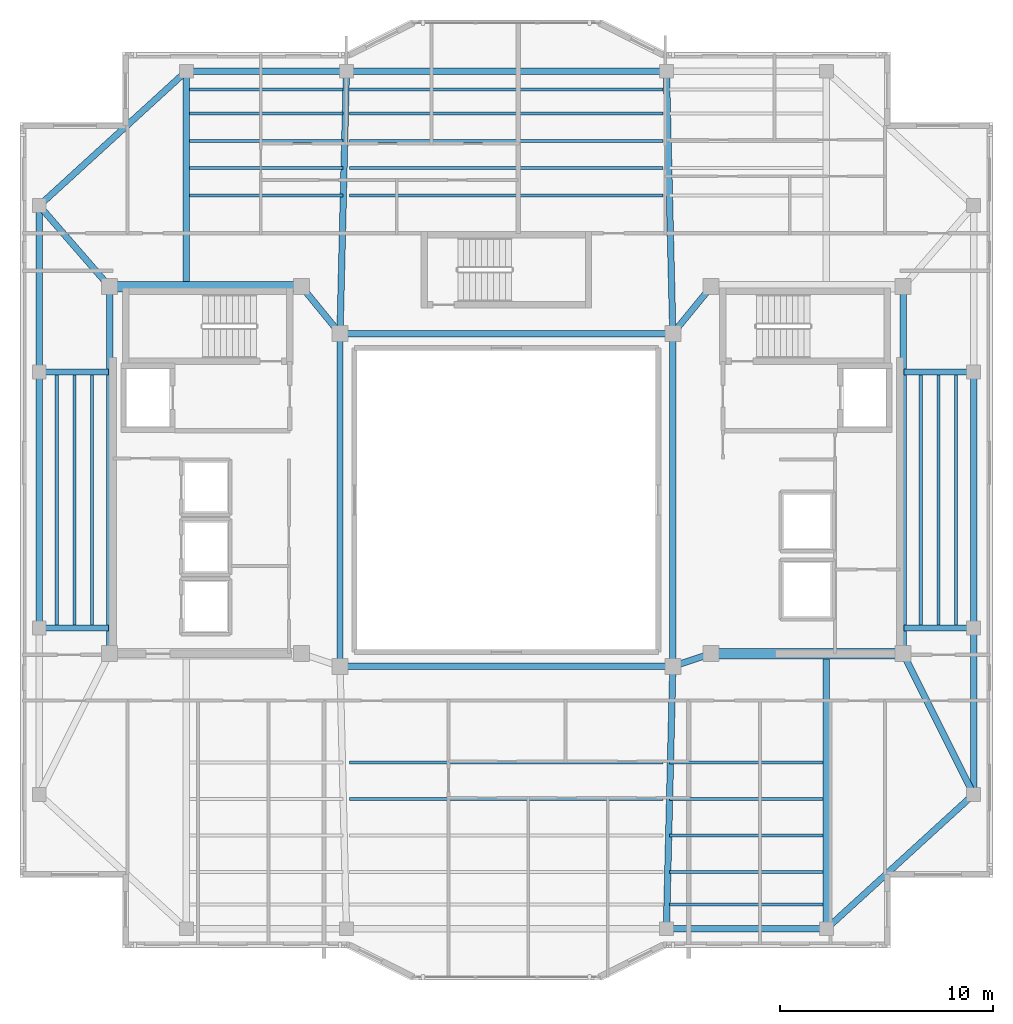
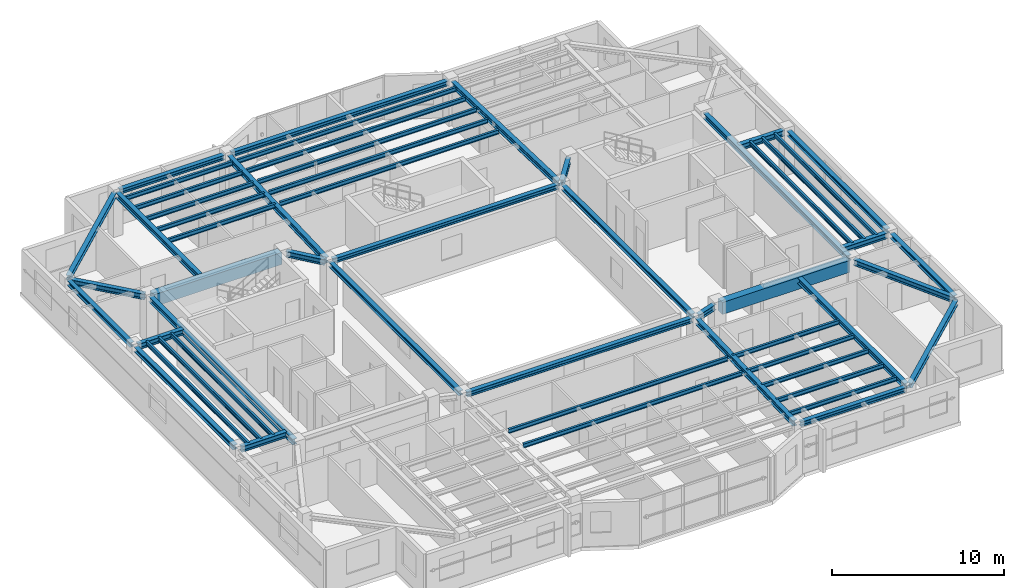
# One storey, part 3 of 13: 54 beams.
"""IFC4 building model written with IfcOpenShell, lengths in metres."""

from ifc_helpers import new_model, si_unit, direction, frame, origin, origin_2d, place, context, subcontext, project, spatial, rectangle, i_section, extrude, material, material_profile, profile_set, type_object, element, save


model = new_model("IFC4")

# Units and contexts
model_context = context("Model", 3, precision=1e-05, world=origin(), true_north=direction((0.0, 1.0)))
body_context = subcontext(model_context, "Body", "Model", "MODEL_VIEW")
ifc_project = project(units=[si_unit("LENGTHUNIT", "METRE"), si_unit("AREAUNIT", "SQUARE_METRE"), si_unit("VOLUMEUNIT", "CUBIC_METRE"), si_unit("PLANEANGLEUNIT", "RADIAN"), si_unit("MASSUNIT", "GRAM", prefix="KILO")], contexts=[model_context])

# Site, building, storey
site_placement = place(None, origin())
site = spatial("IfcSite", under=ifc_project, at=site_placement, CompositionType="ELEMENT")
building_placement = place(site_placement, origin())
building = spatial("IfcBuilding", under=site, at=building_placement, Name="Tarnavaz Court Tower", CompositionType="ELEMENT")
storey_placement = place(building_placement, frame((0.0, 0.0, 251.550048828125)))
storey = spatial("IfcBuildingStorey", under=building, at=storey_placement, Name="L68", CompositionType="ELEMENT", Elevation=251.550048828125)

# Beams
ifc_material_1 = material(Name="Concrete C50/60", Category="concrete")
ifc_material_profile_1 = material_profile(ifc_material_1, rectangle(XDim=0.5, YDim=0.85009765625, at=origin_2d()), Name="RC 500X850")
ifc_profile_set_1 = profile_set([ifc_material_profile_1], Name="Concrete C50/60")
beam_type_1 = type_object("IfcBeamType", Name="BM-CB850", PredefinedType="LINTEL", material=ifc_profile_set_1)
for number, where, z_axis, x_axis, name in (
    (1, (-18.3798828125, 10.0, 2.675048828125), (1.0, 0.0, 0.0), (0.0, 1.0, 0.0), "L68 Beam IN-CW-NO-CW-NI"),
    (2, (18.3798828125, -7.199951171875, 2.675048828125), (-1.0, 0.0, 0.0), (0.0, -1.0, 0.0), "L68 Beam IN-CE-SO-CE-SI"),
):
    element("IfcBeam", number, at=place(storey_placement, frame(where, z_axis=z_axis, x_axis=x_axis)), inside=storey, type_object=beam_type_1, Name=name, PredefinedType="LINTEL", context=body_context, shape_type="SweptSolid", body=[
        extrude(rectangle(XDim=0.5, YDim=0.85009765625, at=origin_2d()), origin(), (0.0, 0.0, 1.0), 8.559814453125),
    ])
ifc_material_2 = material(Name="Steel S355", Category="steel")
ifc_material_profile_2 = material_profile(ifc_material_2, i_section(OverallWidth=0.300048828125, OverallDepth=0.39990234375, WebThickness=0.013427734375, FlangeThickness=0.02392578125, FilletRadius=0.027099609375, at=origin_2d()), Name="HEB 400")
ifc_profile_set_2 = profile_set([ifc_material_profile_2], Name="Steel S355")
beam_type_2 = type_object("IfcBeamType", Name="BM-G-HEB400", PredefinedType="USERDEFINED", material=ifc_profile_set_2)
beam_1_placement = place(storey_placement, frame((9.391357421875, -7.26953125, 2.89990234375), z_axis=(-0.948666544706, -0.316278021615, 0.0), x_axis=(0.316278021615, -0.948666544706, 0.0)))
element("IfcBeam", 3, at=beam_1_placement, inside=storey, type_object=beam_type_2, Name="L68 Beam IN-CE-SI-IW-SE", ObjectType="GIRDER", PredefinedType="USERDEFINED", context=body_context, shape_type="SweptSolid", body=[
    extrude(i_section(OverallWidth=0.300048828125, OverallDepth=0.39990234375, WebThickness=0.013427734375, FlangeThickness=0.02392578125, FilletRadius=0.027099609375, at=origin_2d()), origin(), (0.0, 0.0, 1.0), 1.457275390625),
])
for number, where, z_axis, x_axis, name in (
    (4, (-9.460693359375, 9.82958984375, 2.89990234375), (0.633282058357, -0.773921077735, 0.0), (0.773921077735, 0.633282058357, 0.0), "L68 Beam IN-CW-NI-IW-NW"),
    (5, (9.460693359375, 9.82958984375, 2.89990234375), (-0.633282058357, -0.773921077735, 0.0), (0.773921077735, -0.633282058357, 0.0), "L68 Beam IN-CE-NI-IW-NE"),
):
    element("IfcBeam", number, at=place(storey_placement, frame(where, z_axis=z_axis, x_axis=x_axis)), inside=storey, type_object=beam_type_2, Name=name, ObjectType="GIRDER", PredefinedType="USERDEFINED", context=body_context, shape_type="SweptSolid", body=[
        extrude(i_section(OverallWidth=0.300048828125, OverallDepth=0.39990234375, WebThickness=0.013427734375, FlangeThickness=0.02392578125, FilletRadius=0.027099609375, at=origin_2d()), origin(), (0.0, 0.0, 1.0), 2.402587890625),
    ])
for number, where, z_axis, x_axis, name in (
    (6, (-18.60009765625, -6.97998046875, 2.89990234375), (0.0, 1.0, 0.0), (-1.0, 0.0, 0.0), "L68 Beam IN-CW-SO-CW-NO"),
    (7, (18.60009765625, -6.97998046875, 2.89990234375), (0.0, 1.0, 0.0), (-1.0, 0.0, 0.0), "L68 Beam IN-CE-SO-CE-NO"),
):
    element("IfcBeam", number, at=place(storey_placement, frame(where, z_axis=z_axis, x_axis=x_axis)), inside=storey, type_object=beam_type_2, Name=name, ObjectType="GIRDER", PredefinedType="USERDEFINED", context=body_context, shape_type="SweptSolid", body=[
        extrude(i_section(OverallWidth=0.300048828125, OverallDepth=0.39990234375, WebThickness=0.013427734375, FlangeThickness=0.02392578125, FilletRadius=0.027099609375, at=origin_2d()), origin(), (0.0, 0.0, 1.0), 16.760009765625),
    ])
beam_2_placement = place(storey_placement, frame((-15.0, 10.0400390625, 2.89990234375), z_axis=(0.0, 1.0, 0.0), x_axis=(-1.0, 0.0, 0.0)))
element("IfcBeam", 8, at=beam_2_placement, inside=storey, type_object=beam_type_2, Name="L68 Beam RG-01", ObjectType="GIRDER", PredefinedType="USERDEFINED", context=body_context, shape_type="SweptSolid", body=[
    extrude(i_section(OverallWidth=0.300048828125, OverallDepth=0.39990234375, WebThickness=0.013427734375, FlangeThickness=0.02392578125, FilletRadius=0.027099609375, at=origin_2d()), origin(), (0.0, 0.0, 1.0), 9.83984375),
])
for number, where, z_axis, x_axis, name in (
    (9, (-7.794677734375, 8.02001953125, 2.89990234375), (0.024386002211, 0.99970261723, 0.0), (-0.99970261723, 0.024386002211, 0.0), "L68 Beam RG-02"),
    (10, (7.794677734375, 8.02001953125, 2.89990234375), (-0.024386002211, 0.99970261723, 0.0), (-0.99970261723, -0.024386002211, 0.0), "L68 Beam RG-03"),
    (11, (7.794677734375, -8.02001953125, 2.89990234375), (-0.024386002211, -0.99970261723, 0.0), (0.99970261723, -0.024386002211, 0.0), "L68 Beam RG-07"),
):
    element("IfcBeam", number, at=place(storey_placement, frame(where, z_axis=z_axis, x_axis=x_axis)), inside=storey, type_object=beam_type_2, Name=name, ObjectType="GIRDER", PredefinedType="USERDEFINED", context=body_context, shape_type="SweptSolid", body=[
        extrude(i_section(OverallWidth=0.300048828125, OverallDepth=0.39990234375, WebThickness=0.013427734375, FlangeThickness=0.02392578125, FilletRadius=0.027099609375, at=origin_2d()), origin(), (0.0, 0.0, 1.0), 11.863525390625),
    ])
beam_3_placement = place(storey_placement, frame((15.0, -7.239990234375, 2.89990234375), z_axis=(0.0, -1.0, 0.0), x_axis=(1.0, 0.0, 0.0)))
element("IfcBeam", 12, at=beam_3_placement, inside=storey, type_object=beam_type_2, Name="L68 Beam RG-08", ObjectType="GIRDER", PredefinedType="USERDEFINED", context=body_context, shape_type="SweptSolid", body=[
    extrude(i_section(OverallWidth=0.300048828125, OverallDepth=0.39990234375, WebThickness=0.013427734375, FlangeThickness=0.02392578125, FilletRadius=0.027099609375, at=origin_2d()), origin(), (0.0, 0.0, 1.0), 12.639892578125),
])
for number, where, z_axis, x_axis, name in (
    (13, (18.639892578125, -6.0, 2.89990234375), (1.0, 0.0, 0.0), (0.0, 1.0, 0.0), "L68 Beam RG-09"),
    (14, (18.639892578125, 6.0, 2.89990234375), (1.0, 0.0, 0.0), (0.0, 1.0, 0.0), "L68 Beam RG-10"),
):
    element("IfcBeam", number, at=place(storey_placement, frame(where, z_axis=z_axis, x_axis=x_axis)), inside=storey, type_object=beam_type_2, Name=name, ObjectType="GIRDER", PredefinedType="USERDEFINED", context=body_context, shape_type="SweptSolid", body=[
        extrude(i_section(OverallWidth=0.300048828125, OverallDepth=0.39990234375, WebThickness=0.013427734375, FlangeThickness=0.02392578125, FilletRadius=0.027099609375, at=origin_2d()), origin(), (0.0, 0.0, 1.0), 3.0400390625),
    ])
beam_4_placement = place(storey_placement, frame((18.698486328125, -7.396728515625, 2.89990234375), z_axis=(0.447185448279, -0.894441264057, 0.0), x_axis=(0.894441264057, 0.447185448279, 0.0)))
element("IfcBeam", 15, at=beam_4_placement, inside=storey, type_object=beam_type_2, Name="L68 Beam RG-11", ObjectType="GIRDER", PredefinedType="USERDEFINED", context=body_context, shape_type="SweptSolid", body=[
    extrude(i_section(OverallWidth=0.300048828125, OverallDepth=0.39990234375, WebThickness=0.013427734375, FlangeThickness=0.02392578125, FilletRadius=0.027099609375, at=origin_2d()), origin(), (0.0, 0.0, 1.0), 6.93896484375),
])
for number, where, z_axis, x_axis, name in (
    (16, (-18.639892578125, -6.0, 2.89990234375), (-1.0, 0.0, 0.0), (0.0, -1.0, 0.0), "L68 Beam RG-13"),
    (17, (-18.639892578125, 6.0, 2.89990234375), (-1.0, 0.0, 0.0), (0.0, -1.0, 0.0), "L68 Beam RG-14"),
):
    element("IfcBeam", number, at=place(storey_placement, frame(where, z_axis=z_axis, x_axis=x_axis)), inside=storey, type_object=beam_type_2, Name=name, ObjectType="GIRDER", PredefinedType="USERDEFINED", context=body_context, shape_type="SweptSolid", body=[
        extrude(i_section(OverallWidth=0.300048828125, OverallDepth=0.39990234375, WebThickness=0.013427734375, FlangeThickness=0.02392578125, FilletRadius=0.027099609375, at=origin_2d()), origin(), (0.0, 0.0, 1.0), 3.0400390625),
    ])
beam_5_placement = place(storey_placement, frame((-18.744384765625, 10.166015625, 2.89990234375), z_axis=(-0.65565475567, 0.755060819648, 0.0), x_axis=(-0.755060819648, -0.65565475567, 0.0)))
element("IfcBeam", 18, at=beam_5_placement, inside=storey, type_object=beam_type_2, Name="L68 Beam RG-16", ObjectType="GIRDER", PredefinedType="USERDEFINED", context=body_context, shape_type="SweptSolid", body=[
    extrude(i_section(OverallWidth=0.300048828125, OverallDepth=0.39990234375, WebThickness=0.013427734375, FlangeThickness=0.02392578125, FilletRadius=0.027099609375, at=origin_2d()), origin(), (0.0, 0.0, 1.0), 4.5927734375),
])
ifc_material_profile_3 = material_profile(ifc_material_2, i_section(OverallWidth=0.14990234375, OverallDepth=0.300048828125, WebThickness=0.007080078125, FlangeThickness=0.0107421875, FilletRadius=0.014892578125, at=origin_2d()), Name="IPE 300")
ifc_profile_set_3 = profile_set([ifc_material_profile_3], Name="Steel S355")
beam_type_3 = type_object("IfcBeamType", Name="BM-J-IPE300", PredefinedType="JOIST", material=ifc_profile_set_3)
beam_6_placement = place(storey_placement, frame((-14.85009765625, 14.278076171875, 2.949951171875), z_axis=(1.0, 0.0, 0.0), x_axis=(0.0, 1.0, 0.0)))
element("IfcBeam", 19, at=beam_6_placement, inside=storey, type_object=beam_type_3, Name="L68 Beam JN1-1", PredefinedType="JOIST", context=body_context, shape_type="SweptSolid", body=[
    extrude(i_section(OverallWidth=0.14990234375, OverallDepth=0.300048828125, WebThickness=0.007080078125, FlangeThickness=0.0107421875, FilletRadius=0.014892578125, at=origin_2d()), origin(), (0.0, 0.0, 1.0), 7.2001953125),
])
for number, where, z_axis, x_axis, name in (
    (20, (-7.35009765625, 14.278076171875, 2.949951171875), (1.0, 0.0, 0.0), (0.0, 1.0, 0.0), "L68 Beam JN1-2"),
    (21, (-7.35009765625, -12.31005859375, 2.949951171875), (1.0, 0.0, 0.0), (0.0, 1.0, 0.0), "L68 Beam JS1-2"),
):
    element("IfcBeam", number, at=place(storey_placement, frame(where, z_axis=z_axis, x_axis=x_axis)), inside=storey, type_object=beam_type_3, Name=name, PredefinedType="JOIST", context=body_context, shape_type="SweptSolid", body=[
        extrude(i_section(OverallWidth=0.14990234375, OverallDepth=0.300048828125, WebThickness=0.007080078125, FlangeThickness=0.0107421875, FilletRadius=0.014892578125, at=origin_2d()), origin(), (0.0, 0.0, 1.0), 14.7001953125),
    ])
for number, where, z_axis, x_axis, name in (
    (22, (7.64990234375, -12.31005859375, 2.949951171875), (1.0, 0.0, 0.0), (0.0, 1.0, 0.0), "L68 Beam JS1-3"),
    (23, (-14.85009765625, 15.555908203125, 2.949951171875), (1.0, 0.0, 0.0), (0.0, 1.0, 0.0), "L68 Beam JN2-1"),
):
    element("IfcBeam", number, at=place(storey_placement, frame(where, z_axis=z_axis, x_axis=x_axis)), inside=storey, type_object=beam_type_3, Name=name, PredefinedType="JOIST", context=body_context, shape_type="SweptSolid", body=[
        extrude(i_section(OverallWidth=0.14990234375, OverallDepth=0.300048828125, WebThickness=0.007080078125, FlangeThickness=0.0107421875, FilletRadius=0.014892578125, at=origin_2d()), origin(), (0.0, 0.0, 1.0), 7.2001953125),
    ])
for number, where, z_axis, x_axis, name in (
    (24, (-7.35009765625, 15.555908203125, 2.949951171875), (1.0, 0.0, 0.0), (0.0, 1.0, 0.0), "L68 Beam JN2-2"),
    (25, (-7.35009765625, -14.02001953125, 2.949951171875), (1.0, 0.0, 0.0), (0.0, 1.0, 0.0), "L68 Beam JS2-2"),
):
    element("IfcBeam", number, at=place(storey_placement, frame(where, z_axis=z_axis, x_axis=x_axis)), inside=storey, type_object=beam_type_3, Name=name, PredefinedType="JOIST", context=body_context, shape_type="SweptSolid", body=[
        extrude(i_section(OverallWidth=0.14990234375, OverallDepth=0.300048828125, WebThickness=0.007080078125, FlangeThickness=0.0107421875, FilletRadius=0.014892578125, at=origin_2d()), origin(), (0.0, 0.0, 1.0), 14.7001953125),
    ])
for number, where, z_axis, x_axis, name in (
    (26, (7.64990234375, -14.02001953125, 2.949951171875), (1.0, 0.0, 0.0), (0.0, 1.0, 0.0), "L68 Beam JS2-3"),
    (27, (-14.85009765625, 16.833984375, 2.949951171875), (1.0, 0.0, 0.0), (0.0, 1.0, 0.0), "L68 Beam JN3-1"),
):
    element("IfcBeam", number, at=place(storey_placement, frame(where, z_axis=z_axis, x_axis=x_axis)), inside=storey, type_object=beam_type_3, Name=name, PredefinedType="JOIST", context=body_context, shape_type="SweptSolid", body=[
        extrude(i_section(OverallWidth=0.14990234375, OverallDepth=0.300048828125, WebThickness=0.007080078125, FlangeThickness=0.0107421875, FilletRadius=0.014892578125, at=origin_2d()), origin(), (0.0, 0.0, 1.0), 7.2001953125),
    ])
beam_7_placement = place(storey_placement, frame((-7.35009765625, 16.833984375, 2.949951171875), z_axis=(1.0, 0.0, 0.0), x_axis=(0.0, 1.0, 0.0)))
element("IfcBeam", 28, at=beam_7_placement, inside=storey, type_object=beam_type_3, Name="L68 Beam JN3-2", PredefinedType="JOIST", context=body_context, shape_type="SweptSolid", body=[
    extrude(i_section(OverallWidth=0.14990234375, OverallDepth=0.300048828125, WebThickness=0.007080078125, FlangeThickness=0.0107421875, FilletRadius=0.014892578125, at=origin_2d()), origin(), (0.0, 0.0, 1.0), 14.7001953125),
])
for number, where, z_axis, x_axis, name in (
    (29, (7.64990234375, -15.72998046875, 2.949951171875), (1.0, 0.0, 0.0), (0.0, 1.0, 0.0), "L68 Beam JS3-3"),
    (30, (-14.85009765625, 18.112060546875, 2.949951171875), (1.0, 0.0, 0.0), (0.0, 1.0, 0.0), "L68 Beam JN4-1"),
):
    element("IfcBeam", number, at=place(storey_placement, frame(where, z_axis=z_axis, x_axis=x_axis)), inside=storey, type_object=beam_type_3, Name=name, PredefinedType="JOIST", context=body_context, shape_type="SweptSolid", body=[
        extrude(i_section(OverallWidth=0.14990234375, OverallDepth=0.300048828125, WebThickness=0.007080078125, FlangeThickness=0.0107421875, FilletRadius=0.014892578125, at=origin_2d()), origin(), (0.0, 0.0, 1.0), 7.2001953125),
    ])
beam_8_placement = place(storey_placement, frame((-7.35009765625, 18.112060546875, 2.949951171875), z_axis=(1.0, 0.0, 0.0), x_axis=(0.0, 1.0, 0.0)))
element("IfcBeam", 31, at=beam_8_placement, inside=storey, type_object=beam_type_3, Name="L68 Beam JN4-2", PredefinedType="JOIST", context=body_context, shape_type="SweptSolid", body=[
    extrude(i_section(OverallWidth=0.14990234375, OverallDepth=0.300048828125, WebThickness=0.007080078125, FlangeThickness=0.0107421875, FilletRadius=0.014892578125, at=origin_2d()), origin(), (0.0, 0.0, 1.0), 14.7001953125),
])
for number, where, z_axis, x_axis, name in (
    (32, (7.64990234375, -17.43994140625, 2.949951171875), (1.0, 0.0, 0.0), (0.0, 1.0, 0.0), "L68 Beam JS4-3"),
    (33, (-14.85009765625, 19.248046875, 2.949951171875), (1.0, 0.0, 0.0), (0.0, 1.0, 0.0), "L68 Beam JN5-1"),
):
    element("IfcBeam", number, at=place(storey_placement, frame(where, z_axis=z_axis, x_axis=x_axis)), inside=storey, type_object=beam_type_3, Name=name, PredefinedType="JOIST", context=body_context, shape_type="SweptSolid", body=[
        extrude(i_section(OverallWidth=0.14990234375, OverallDepth=0.300048828125, WebThickness=0.007080078125, FlangeThickness=0.0107421875, FilletRadius=0.014892578125, at=origin_2d()), origin(), (0.0, 0.0, 1.0), 7.2001953125),
    ])
beam_9_placement = place(storey_placement, frame((-7.35009765625, 19.248046875, 2.949951171875), z_axis=(1.0, 0.0, 0.0), x_axis=(0.0, 1.0, 0.0)))
element("IfcBeam", 34, at=beam_9_placement, inside=storey, type_object=beam_type_3, Name="L68 Beam JN5-2", PredefinedType="JOIST", context=body_context, shape_type="SweptSolid", body=[
    extrude(i_section(OverallWidth=0.14990234375, OverallDepth=0.300048828125, WebThickness=0.007080078125, FlangeThickness=0.0107421875, FilletRadius=0.014892578125, at=origin_2d()), origin(), (0.0, 0.0, 1.0), 14.7001953125),
])
beam_10_placement = place(storey_placement, frame((7.64990234375, -18.9599609375, 2.949951171875), z_axis=(1.0, 0.0, 0.0), x_axis=(0.0, 1.0, 0.0)))
element("IfcBeam", 35, at=beam_10_placement, inside=storey, type_object=beam_type_3, Name="L68 Beam JS5-3", PredefinedType="JOIST", context=body_context, shape_type="SweptSolid", body=[
    extrude(i_section(OverallWidth=0.14990234375, OverallDepth=0.300048828125, WebThickness=0.007080078125, FlangeThickness=0.0107421875, FilletRadius=0.014892578125, at=origin_2d()), origin(), (0.0, 0.0, 1.0), 7.2001953125),
])
for number, where, z_axis, x_axis, name in (
    (36, (19.425048828125, -5.9599609375, 2.949951171875), (0.0, 1.0, 0.0), (-1.0, 0.0, 0.0), "L68 Beam JE1"),
    (37, (-19.425048828125, -5.9599609375, 2.949951171875), (0.0, 1.0, 0.0), (-1.0, 0.0, 0.0), "L68 Beam JW1"),
    (38, (20.25, -5.9599609375, 2.949951171875), (0.0, 1.0, 0.0), (-1.0, 0.0, 0.0), "L68 Beam JE2"),
    (39, (-20.25, -5.9599609375, 2.949951171875), (0.0, 1.0, 0.0), (-1.0, 0.0, 0.0), "L68 Beam JW2"),
    (40, (21.074951171875, -5.9599609375, 2.949951171875), (0.0, 1.0, 0.0), (-1.0, 0.0, 0.0), "L68 Beam JE3"),
    (41, (-21.074951171875, -5.9599609375, 2.949951171875), (0.0, 1.0, 0.0), (-1.0, 0.0, 0.0), "L68 Beam JW3"),
):
    element("IfcBeam", number, at=place(storey_placement, frame(where, z_axis=z_axis, x_axis=x_axis)), inside=storey, type_object=beam_type_3, Name=name, PredefinedType="JOIST", context=body_context, shape_type="SweptSolid", body=[
        extrude(i_section(OverallWidth=0.14990234375, OverallDepth=0.300048828125, WebThickness=0.007080078125, FlangeThickness=0.0107421875, FilletRadius=0.014892578125, at=origin_2d()), origin(), (0.0, 0.0, 1.0), 11.919921875),
    ])
ifc_material_profile_4 = material_profile(ifc_material_2, i_section(OverallWidth=0.300048828125, OverallDepth=0.330078125, WebThickness=0.009521484375, FlangeThickness=0.0166015625, FilletRadius=0.027099609375, at=origin_2d()), Name="HEA 340")
ifc_profile_set_4 = profile_set([ifc_material_profile_4], Name="Steel S355")
beam_type_4 = type_object("IfcBeamType", Name="BM-SP-HEA340", PredefinedType="BEAM", material=ifc_profile_set_4)
for number, where, z_axis, x_axis, name in (
    (42, (-7.580078125, -7.800048828125, 2.93505859375), (1.0, 0.0, 0.0), (0.0, 1.0, 0.0), "L68 Beam IN-IW-SW-IW-SE"),
    (43, (-7.580078125, 7.800048828125, 2.93505859375), (1.0, 0.0, 0.0), (0.0, 1.0, 0.0), "L68 Beam IN-IW-NW-IW-NE"),
    (44, (-7.800048828125, -7.580078125, 2.93505859375), (0.0, 1.0, 0.0), (-1.0, 0.0, 0.0), "L68 Beam IN-IW-SW-IW-NW"),
    (45, (7.800048828125, -7.580078125, 2.93505859375), (0.0, 1.0, 0.0), (-1.0, 0.0, 0.0), "L68 Beam IN-IW-SE-IW-NE"),
):
    element("IfcBeam", number, at=place(storey_placement, frame(where, z_axis=z_axis, x_axis=x_axis)), inside=storey, type_object=beam_type_4, Name=name, PredefinedType="BEAM", context=body_context, shape_type="SweptSolid", body=[
        extrude(i_section(OverallWidth=0.300048828125, OverallDepth=0.330078125, WebThickness=0.009521484375, FlangeThickness=0.0166015625, FilletRadius=0.027099609375, at=origin_2d()), origin(), (0.0, 0.0, 1.0), 15.16015625),
    ])
beam_11_placement = place(storey_placement, frame((-14.780029296875, 20.10009765625, 2.93505859375), z_axis=(1.0, 0.0, 0.0), x_axis=(0.0, 1.0, 0.0)))
element("IfcBeam", 46, at=beam_11_placement, inside=storey, type_object=beam_type_4, Name="L68 Beam PR-PN-1-PN-2", PredefinedType="BEAM", context=body_context, shape_type="SweptSolid", body=[
    extrude(i_section(OverallWidth=0.300048828125, OverallDepth=0.330078125, WebThickness=0.009521484375, FlangeThickness=0.0166015625, FilletRadius=0.027099609375, at=origin_2d()), origin(), (0.0, 0.0, 1.0), 7.06005859375),
])
beam_12_placement = place(storey_placement, frame((-7.280029296875, 20.10009765625, 2.93505859375), z_axis=(1.0, 0.0, 0.0), x_axis=(0.0, 1.0, 0.0)))
element("IfcBeam", 47, at=beam_12_placement, inside=storey, type_object=beam_type_4, Name="L68 Beam PR-PN-2-PN-3", PredefinedType="BEAM", context=body_context, shape_type="SweptSolid", body=[
    extrude(i_section(OverallWidth=0.300048828125, OverallDepth=0.330078125, WebThickness=0.009521484375, FlangeThickness=0.0166015625, FilletRadius=0.027099609375, at=origin_2d()), origin(), (0.0, 0.0, 1.0), 14.56005859375),
])
beam_13_placement = place(storey_placement, frame((7.719970703125, -20.10009765625, 2.93505859375), z_axis=(1.0, 0.0, 0.0), x_axis=(0.0, 1.0, 0.0)))
element("IfcBeam", 48, at=beam_13_placement, inside=storey, type_object=beam_type_4, Name="L68 Beam PR-PS-3-PS-4", PredefinedType="BEAM", context=body_context, shape_type="SweptSolid", body=[
    extrude(i_section(OverallWidth=0.300048828125, OverallDepth=0.330078125, WebThickness=0.009521484375, FlangeThickness=0.0166015625, FilletRadius=0.027099609375, at=origin_2d()), origin(), (0.0, 0.0, 1.0), 7.06005859375),
])
beam_14_placement = place(storey_placement, frame((21.89990234375, -13.580078125, 2.93505859375), z_axis=(0.0, 1.0, 0.0), x_axis=(-1.0, 0.0, 0.0)))
element("IfcBeam", 49, at=beam_14_placement, inside=storey, type_object=beam_type_4, Name="L68 Beam PR-PE-1-PE-2", PredefinedType="BEAM", context=body_context, shape_type="SweptSolid", body=[
    extrude(i_section(OverallWidth=0.300048828125, OverallDepth=0.330078125, WebThickness=0.009521484375, FlangeThickness=0.0166015625, FilletRadius=0.027099609375, at=origin_2d()), origin(), (0.0, 0.0, 1.0), 7.360107421875),
])
for number, where, z_axis, x_axis, name in (
    (50, (21.89990234375, -5.780029296875, 2.93505859375), (0.0, 1.0, 0.0), (-1.0, 0.0, 0.0), "L68 Beam PR-PE-2-PE-3"),
    (51, (-21.89990234375, -5.780029296875, 2.93505859375), (0.0, 1.0, 0.0), (-1.0, 0.0, 0.0), "L68 Beam PR-PW-2-PW-3"),
):
    element("IfcBeam", number, at=place(storey_placement, frame(where, z_axis=z_axis, x_axis=x_axis)), inside=storey, type_object=beam_type_4, Name=name, PredefinedType="BEAM", context=body_context, shape_type="SweptSolid", body=[
        extrude(i_section(OverallWidth=0.300048828125, OverallDepth=0.330078125, WebThickness=0.009521484375, FlangeThickness=0.0166015625, FilletRadius=0.027099609375, at=origin_2d()), origin(), (0.0, 0.0, 1.0), 11.56005859375),
    ])
beam_15_placement = place(storey_placement, frame((-21.89990234375, 6.219970703125, 2.93505859375), z_axis=(0.0, 1.0, 0.0), x_axis=(-1.0, 0.0, 0.0)))
element("IfcBeam", 52, at=beam_15_placement, inside=storey, type_object=beam_type_4, Name="L68 Beam PR-PW-3-PW-4", PredefinedType="BEAM", context=body_context, shape_type="SweptSolid", body=[
    extrude(i_section(OverallWidth=0.300048828125, OverallDepth=0.330078125, WebThickness=0.009521484375, FlangeThickness=0.0166015625, FilletRadius=0.027099609375, at=origin_2d()), origin(), (0.0, 0.0, 1.0), 7.360107421875),
])
for number, where, z_axis, x_axis, name in (
    (53, (21.737548828125, -13.9482421875, 2.93505859375), (-0.738474214476, -0.674281717499, 0.0), (0.674281717499, -0.738474214476, 0.0), "L68 Beam PR-PE-1-PS-4"),
    (54, (-21.737548828125, 13.9482421875, 2.93505859375), (0.738474214476, 0.674281717499, 0.0), (-0.674281717499, 0.738474214476, 0.0), "L68 Beam PR-PW-4-PN-1"),
):
    element("IfcBeam", number, at=place(storey_placement, frame(where, z_axis=z_axis, x_axis=x_axis)), inside=storey, type_object=beam_type_4, Name=name, PredefinedType="BEAM", context=body_context, shape_type="SweptSolid", body=[
        extrude(i_section(OverallWidth=0.300048828125, OverallDepth=0.330078125, WebThickness=0.009521484375, FlangeThickness=0.0166015625, FilletRadius=0.027099609375, at=origin_2d()), origin(), (0.0, 0.0, 1.0), 8.9033203125),
    ])

save(model, "model.ifc")
